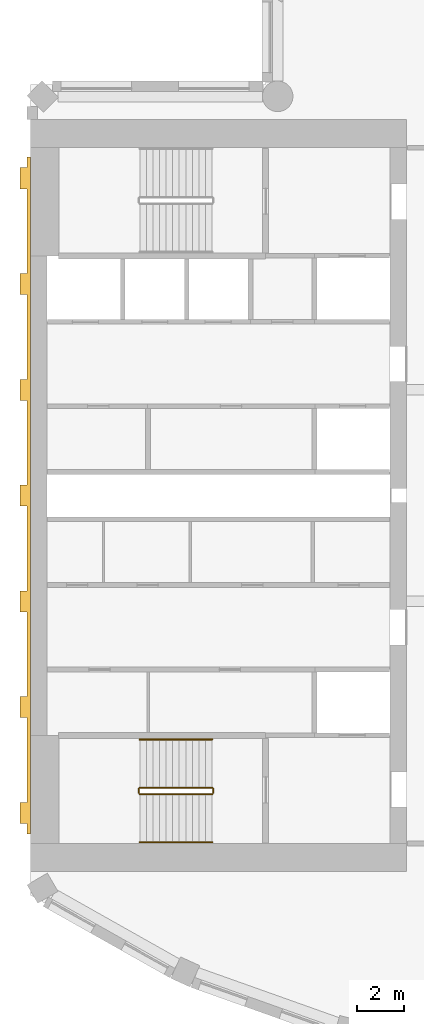
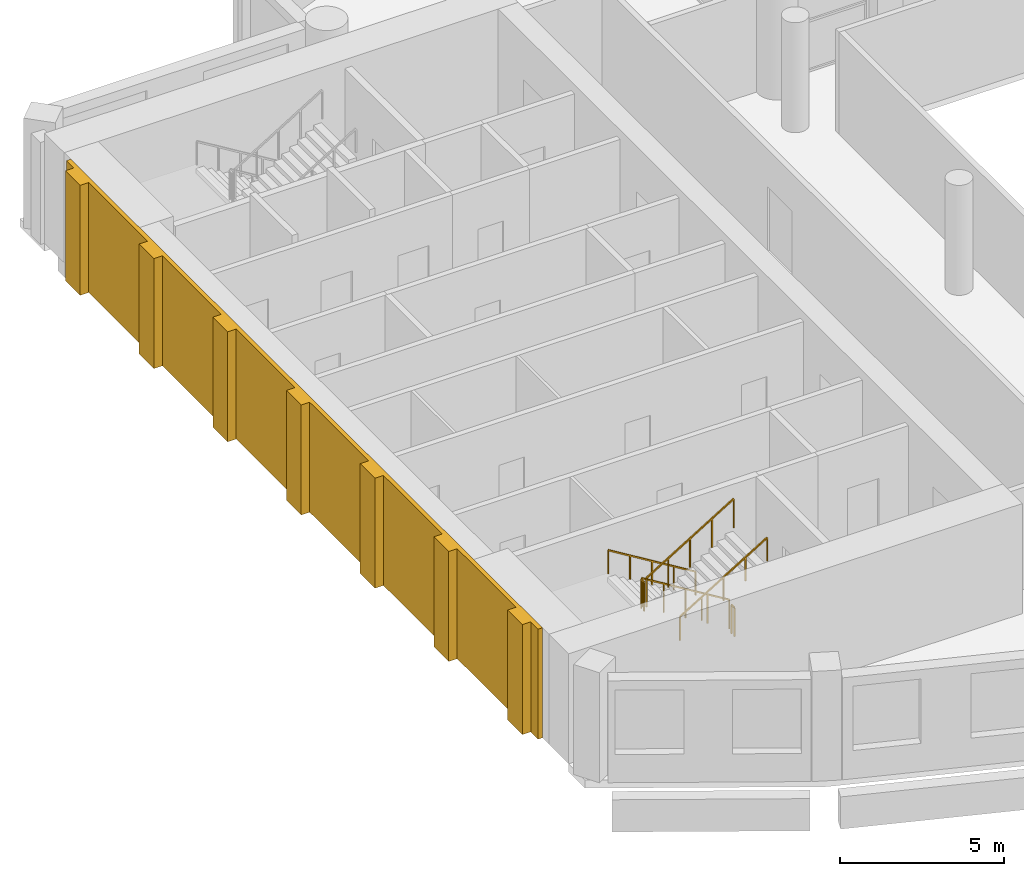
# One storey, part 10 of 14: 6 railings, 1 covering.
"""IFC4 building model written with IfcOpenShell, lengths in metres."""

from ifc_helpers import new_model, si_unit, direction, frame, origin, origin_2d, place, context, subcontext, project, spatial, polyline, rectangle, outline, extrude, material, layer, layer_set, type_object, element, save


model = new_model("IFC4")

# Units and contexts
model_context = context("Model", 3, precision=1e-05, world=origin(), true_north=direction((0.0, 1.0)))
body_context = subcontext(model_context, "Body", "Model", "MODEL_VIEW")
ifc_project = project(units=[si_unit("LENGTHUNIT", "METRE"), si_unit("AREAUNIT", "SQUARE_METRE"), si_unit("VOLUMEUNIT", "CUBIC_METRE"), si_unit("PLANEANGLEUNIT", "RADIAN"), si_unit("MASSUNIT", "GRAM", prefix="KILO")], contexts=[model_context])

# Site, building, storey
site_placement = place(None, origin())
site = spatial("IfcSite", under=ifc_project, at=site_placement, CompositionType="ELEMENT")
building_placement = place(site_placement, origin())
building = spatial("IfcBuilding", under=site, at=building_placement, Name="Cypress Arch Tower", CompositionType="ELEMENT")
storey_placement = place(building_placement, frame((0.0, 0.0, 268.0)))
storey = spatial("IfcBuildingStorey", under=building, at=storey_placement, Name="L60", CompositionType="ELEMENT", Elevation=268.0)

# Railings
ifc_material_1 = material(Name="Black powder-coated steel square bar 48 mm", Category="steel")
railing_type_1 = type_object("IfcRailingType", Name="Stair handrail HR1", PredefinedType="HANDRAIL", material=ifc_material_1)
railing_1_placement = place(storey_placement, frame((-22.27490234375, -10.375, 0.1708984375)))
element("IfcRailing", 1, at=railing_1_placement, inside=storey, type_object=railing_type_1, Name="L60 A stair handrail 1", PredefinedType="HANDRAIL", context=body_context, shape_type="SweptSolid", body=[
    extrude(rectangle(XDim=0.048095703125, YDim=0.048095703125, at=origin_2d()), frame((0.0, 0.0, 0.8759765625), z_axis=(-0.853666305674, 0.0, 0.52082035152), x_axis=(0.0, -1.0, 0.0)), (0.0, 0.0, 1.0), 3.608154296875),
    extrude(rectangle(XDim=0.0419921875, YDim=0.0419921875, at=origin_2d()), origin(), (0.0, 0.0, 1.0), 0.851806640625),
    extrude(rectangle(XDim=0.0419921875, YDim=0.0419921875, at=origin_2d()), frame((-0.77001953125, 0.0, 0.4697265625)), (0.0, 0.0, 1.0), 0.851806640625),
    extrude(rectangle(XDim=0.0419921875, YDim=0.0419921875, at=origin_2d()), frame((-1.5400390625, 0.0, 0.939453125)), (0.0, 0.0, 1.0), 0.851806640625),
    extrude(rectangle(XDim=0.0419921875, YDim=0.0419921875, at=origin_2d()), frame((-2.31005859375, 0.0, 1.409423828125)), (0.0, 0.0, 1.0), 0.851806640625),
    extrude(rectangle(XDim=0.0419921875, YDim=0.0419921875, at=origin_2d()), frame((-3.080078125, 0.0, 1.879150390625)), (0.0, 0.0, 1.0), 0.851806640625),
])
railing_2_placement = place(storey_placement, frame((-25.35498046875, -14.75, 2.220947265625)))
element("IfcRailing", 2, at=railing_2_placement, inside=storey, type_object=railing_type_1, Name="L60 A stair handrail 2", PredefinedType="HANDRAIL", context=body_context, shape_type="SweptSolid", body=[
    extrude(rectangle(XDim=0.048095703125, YDim=0.048095703125, at=origin_2d()), frame((0.0, 0.0, 0.8759765625), z_axis=(0.853666305674, 0.0, 0.52082035152), x_axis=(0.0, 1.0, 0.0)), (0.0, 0.0, 1.0), 3.608154296875),
    extrude(rectangle(XDim=0.0419921875, YDim=0.0419921875, at=origin_2d()), origin(), (0.0, 0.0, 1.0), 0.851806640625),
    extrude(rectangle(XDim=0.0419921875, YDim=0.0419921875, at=origin_2d()), frame((0.77001953125, 0.0, 0.4697265625)), (0.0, 0.0, 1.0), 0.851806640625),
    extrude(rectangle(XDim=0.0419921875, YDim=0.0419921875, at=origin_2d()), frame((1.5400390625, 0.0, 0.939453125)), (0.0, 0.0, 1.0), 0.851806640625),
    extrude(rectangle(XDim=0.0419921875, YDim=0.0419921875, at=origin_2d()), frame((2.31005859375, 0.0, 1.409423828125)), (0.0, 0.0, 1.0), 0.851806640625),
    extrude(rectangle(XDim=0.0419921875, YDim=0.0419921875, at=origin_2d()), frame((3.080078125, 0.0, 1.879150390625)), (0.0, 0.0, 1.0), 0.851806640625),
])
ifc_material_2 = material(Name="Black powder-coated steel balusters", Category="steel")
railing_type_2 = type_object("IfcRailingType", Name="Stair well guard G1", PredefinedType="GUARDRAIL", material=ifc_material_2)
railing_3_placement = place(storey_placement, frame((-22.27490234375, -12.425048828125, 0.1708984375)))
element("IfcRailing", 3, at=railing_3_placement, inside=storey, type_object=railing_type_2, Name="L60 A stair guard 1", PredefinedType="GUARDRAIL", context=body_context, shape_type="SweptSolid", body=[
    extrude(rectangle(XDim=0.048095703125, YDim=0.048095703125, at=origin_2d()), frame((0.0, 0.0, 1.076171875), z_axis=(-0.853666305674, 0.0, 0.52082035152), x_axis=(0.0, -1.0, 0.0)), (0.0, 0.0, 1.0), 3.608154296875),
    extrude(rectangle(XDim=0.0419921875, YDim=0.0419921875, at=origin_2d()), origin(), (0.0, 0.0, 1.0), 1.052001953125),
    extrude(rectangle(XDim=0.0419921875, YDim=0.0419921875, at=origin_2d()), frame((-0.77001953125, 0.0, 0.4697265625)), (0.0, 0.0, 1.0), 1.052001953125),
    extrude(rectangle(XDim=0.0419921875, YDim=0.0419921875, at=origin_2d()), frame((-1.5400390625, 0.0, 0.939453125)), (0.0, 0.0, 1.0), 1.052001953125),
    extrude(rectangle(XDim=0.0419921875, YDim=0.0419921875, at=origin_2d()), frame((-2.31005859375, 0.0, 1.409423828125)), (0.0, 0.0, 1.0), 1.052001953125),
    extrude(rectangle(XDim=0.0419921875, YDim=0.0419921875, at=origin_2d()), frame((-3.080078125, 0.0, 1.879150390625)), (0.0, 0.0, 1.0), 1.052001953125),
])
railing_4_placement = place(storey_placement, frame((-25.405029296875, -12.47509765625, 2.050048828125)))
element("IfcRailing", 4, at=railing_4_placement, inside=storey, type_object=railing_type_2, Name="L60 A stair guard 2", PredefinedType="GUARDRAIL", context=body_context, shape_type="SweptSolid", body=[
    extrude(rectangle(XDim=0.048095703125, YDim=0.048095703125, at=origin_2d()), frame((0.0, 0.0, 1.076171875), z_axis=(0.0, -1.0, 0.0), x_axis=(1.0, 0.0, 0.0)), (0.0, 0.0, 1.0), 0.1748046875),
    extrude(rectangle(XDim=0.0419921875, YDim=0.0419921875, at=origin_2d()), origin(), (0.0, 0.0, 1.0), 1.052001953125),
    extrude(rectangle(XDim=0.0419921875, YDim=0.0419921875, at=origin_2d()), frame((0.0, -0.1748046875, 0.0)), (0.0, 0.0, 1.0), 1.052001953125),
])
railing_5_placement = place(storey_placement, frame((-25.35498046875, -12.699951171875, 2.220947265625)))
element("IfcRailing", 5, at=railing_5_placement, inside=storey, type_object=railing_type_2, Name="L60 A stair guard 3", PredefinedType="GUARDRAIL", context=body_context, shape_type="SweptSolid", body=[
    extrude(rectangle(XDim=0.048095703125, YDim=0.048095703125, at=origin_2d()), frame((0.0, 0.0, 1.076171875), z_axis=(0.853666305674, 0.0, 0.52082035152), x_axis=(0.0, 1.0, 0.0)), (0.0, 0.0, 1.0), 3.608154296875),
    extrude(rectangle(XDim=0.0419921875, YDim=0.0419921875, at=origin_2d()), origin(), (0.0, 0.0, 1.0), 1.052001953125),
    extrude(rectangle(XDim=0.0419921875, YDim=0.0419921875, at=origin_2d()), frame((0.77001953125, 0.0, 0.4697265625)), (0.0, 0.0, 1.0), 1.052001953125),
    extrude(rectangle(XDim=0.0419921875, YDim=0.0419921875, at=origin_2d()), frame((1.5400390625, 0.0, 0.939453125)), (0.0, 0.0, 1.0), 1.052001953125),
    extrude(rectangle(XDim=0.0419921875, YDim=0.0419921875, at=origin_2d()), frame((2.31005859375, 0.0, 1.409423828125)), (0.0, 0.0, 1.0), 1.052001953125),
    extrude(rectangle(XDim=0.0419921875, YDim=0.0419921875, at=origin_2d()), frame((3.080078125, 0.0, 1.879150390625)), (0.0, 0.0, 1.0), 1.052001953125),
])
railing_6_placement = place(storey_placement, frame((-22.22509765625, -12.47509765625, 0.0)))
element("IfcRailing", 6, at=railing_6_placement, inside=storey, type_object=railing_type_2, Name="L60 A stair guard 4", PredefinedType="GUARDRAIL", context=body_context, shape_type="SweptSolid", body=[
    extrude(rectangle(XDim=0.048095703125, YDim=0.048095703125, at=origin_2d()), frame((0.0, 0.0, 1.076171875), z_axis=(0.0, -1.0, 0.0), x_axis=(1.0, 0.0, 0.0)), (0.0, 0.0, 1.0), 0.1748046875),
    extrude(rectangle(XDim=0.0419921875, YDim=0.0419921875, at=origin_2d()), origin(), (0.0, 0.0, 1.0), 1.052001953125),
    extrude(rectangle(XDim=0.0419921875, YDim=0.0419921875, at=origin_2d()), frame((0.0, -0.1748046875, 0.0)), (0.0, 0.0, 1.0), 1.052001953125),
])

# Covering
ifc_material_3 = material(Name="Brick (red buff blend)", Category="masonry")
ifc_layer = layer(ifc_material_3, 0.449951171875)
ifc_layer_set = layer_set([ifc_layer], Name="West face brick piers WP450")
covering_type = type_object("IfcCoveringType", Name="West face brick piers WP450", PredefinedType="CLADDING", material=ifc_layer_set)
covering_placement = place(storey_placement, origin())
element("IfcCovering", 7, at=covering_placement, inside=storey, type_object=covering_type, Name="West face brick piers L60", PredefinedType="CLADDING", context=body_context, shape_type="SweptSolid", body=[
    extrude(outline(polyline([(-30.14990234375, -13.050048828125), (-30.14990234375, -9.449951171875), (-30.449951171875, -9.449951171875), (-30.449951171875, -8.550048828125), (-30.14990234375, -8.550048828125), (-30.14990234375, -4.949951171875), (-30.449951171875, -4.949951171875), (-30.449951171875, -4.050048828125), (-30.14990234375, -4.050048828125), (-30.14990234375, -0.449951171875), (-30.449951171875, -0.449951171875), (-30.449951171875, 0.449951171875), (-30.14990234375, 0.449951171875), (-30.14990234375, 4.050048828125), (-30.449951171875, 4.050048828125), (-30.449951171875, 4.949951171875), (-30.14990234375, 4.949951171875), (-30.14990234375, 8.550048828125), (-30.449951171875, 8.550048828125), (-30.449951171875, 9.449951171875), (-30.14990234375, 9.449951171875), (-30.14990234375, 13.050048828125), (-30.449951171875, 13.050048828125), (-30.449951171875, 13.949951171875), (-30.14990234375, 13.949951171875), (-30.14990234375, 14.39990234375), (-30.0, 14.39990234375), (-30.0, -14.39990234375), (-30.14990234375, -14.39990234375), (-30.14990234375, -13.949951171875), (-30.449951171875, -13.949951171875), (-30.449951171875, -13.050048828125), (-30.14990234375, -13.050048828125)])), origin(), (0.0, 0.0, 1.0), 4.10009765625),
])

save(model, "model.ifc")
